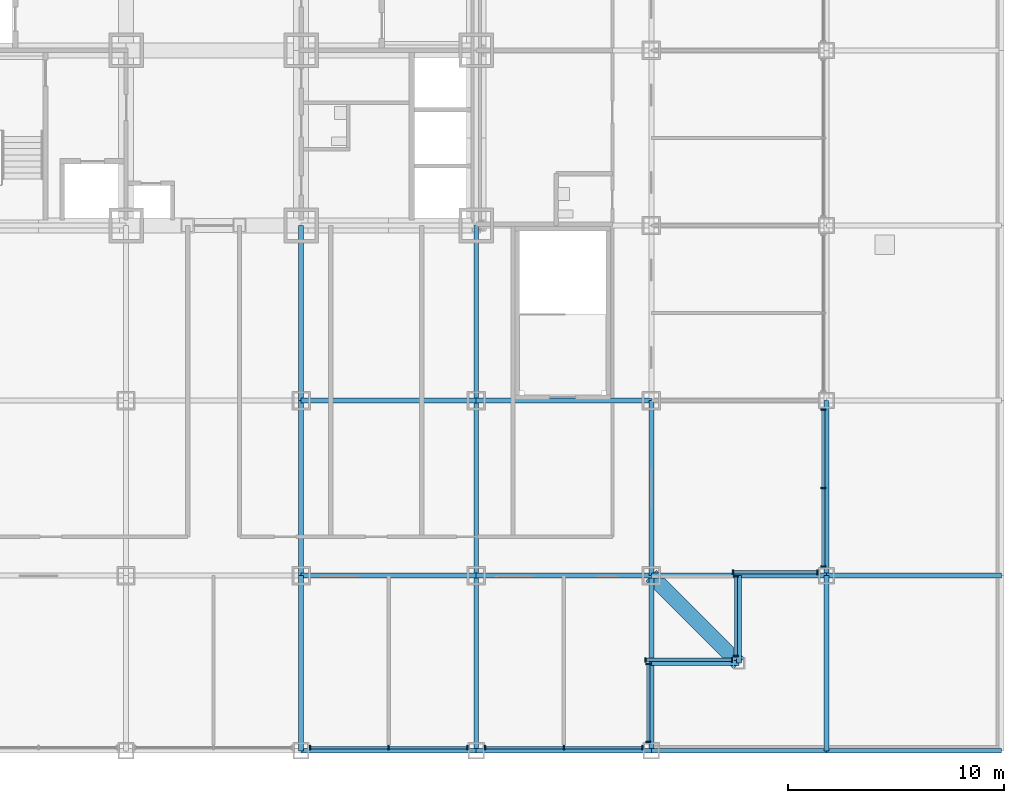
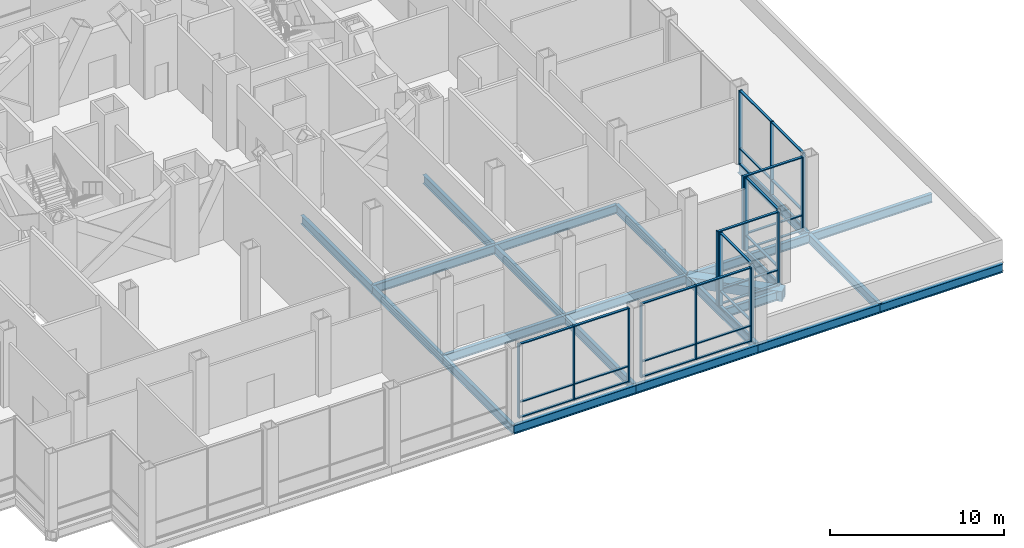
# One storey, part 5 of 18: 47 members, 23 beams, 7 elements without a shape of their own.
"""IFC4 building model written with IfcOpenShell, lengths in metres."""

from ifc_helpers import new_model, si_unit, direction, frame, origin, origin_2d, place, context, subcontext, project, spatial, rectangle, hollow_rectangle, i_section, extrude, material, material_profile, profile_set, type_object, element, aggregate, save


model = new_model("IFC4")

# Units and contexts
model_context = context("Model", 3, precision=1e-05, world=origin(), true_north=direction((0.0, 1.0)))
body_context = subcontext(model_context, "Body", "Model", "MODEL_VIEW")
ifc_project = project(units=[si_unit("LENGTHUNIT", "METRE"), si_unit("AREAUNIT", "SQUARE_METRE"), si_unit("VOLUMEUNIT", "CUBIC_METRE"), si_unit("PLANEANGLEUNIT", "RADIAN"), si_unit("MASSUNIT", "GRAM", prefix="KILO")], contexts=[model_context])

# Site, building, storey
site_placement = place(None, origin())
site = spatial("IfcSite", under=ifc_project, at=site_placement, CompositionType="ELEMENT")
building_placement = place(site_placement, origin())
building = spatial("IfcBuilding", under=site, at=building_placement, Name="Kopane Lantern Tower", CompositionType="ELEMENT")
storey_placement = place(building_placement, frame((0.0, 0.0, 22.199951171875)))
storey = spatial("IfcBuildingStorey", under=building, at=storey_placement, Name="L04", CompositionType="ELEMENT", Elevation=22.199951171875)

# Beams
ifc_material_1 = material(Name="Steel S355JR", Category="steel")
ifc_material_profile_1 = material_profile(ifc_material_1, hollow_rectangle(XDim=0.699951171875, YDim=0.699951171875, WallThickness=0.06005859375, at=origin_2d()), Name="BOX 700x700x60")
ifc_profile_set_1 = profile_set([ifc_material_profile_1], Name="Steel S355JR")
beam_type_1 = type_object("IfcBeamType", Name="CORNER TIE BEAM BOX 700x700x60", PredefinedType="BEAM", material=ifc_profile_set_1)
beam_1_placement = place(storey_placement, frame((52.64990234375, 4.050048828125, -0.599853515625), z_axis=(-0.707085467703, 0.707128094028, 0.0), x_axis=(-0.707128094028, -0.707085467703, 0.0)))
element("IfcBeam", 1, at=beam_1_placement, inside=storey, type_object=beam_type_1, Name="Corner Tie Beam L04", PredefinedType="BEAM", context=body_context, shape_type="SweptSolid", body=[
    extrude(hollow_rectangle(XDim=0.699951171875, YDim=0.699951171875, WallThickness=0.06005859375, at=origin_2d()), origin(), (0.0, 0.0, 1.0), 5.7275390625),
])
ifc_material_2 = material(Name="Steel S355JR", Category="steel")
ifc_material_profile_2 = material_profile(ifc_material_2, i_section(OverallWidth=0.22900390625, OverallDepth=0.6123046875, WebThickness=0.011962890625, FlangeThickness=0.01953125, FilletRadius=0.0126953125, at=origin_2d()), Name="UB 610x229x125")
ifc_profile_set_2 = profile_set([ifc_material_profile_2], Name="Steel S355JR")
beam_type_2 = type_object("IfcBeamType", Name="EDGE BEAM UB 610x229x125", PredefinedType="BEAM", material=ifc_profile_set_2)
beam_2_placement = place(storey_placement, frame((52.64990234375, 4.050048828125, -0.55615234375), z_axis=(-1.0, 0.0, 0.0), x_axis=(0.0, -1.0, 0.0)))
element("IfcBeam", 2, at=beam_2_placement, inside=storey, type_object=beam_type_2, Name="Edge Beam L04", PredefinedType="BEAM", context=body_context, shape_type="SweptSolid", body=[
    extrude(i_section(OverallWidth=0.22900390625, OverallDepth=0.6123046875, WebThickness=0.011962890625, FlangeThickness=0.01953125, FilletRadius=0.0126953125, at=origin_2d()), origin(), (0.0, 0.0, 1.0), 4.0498046875),
])
beam_3_placement = place(storey_placement, frame((52.64990234375, 4.050048828125, -0.55615234375), z_axis=(0.0, 1.0, 0.0), x_axis=(-1.0, 0.0, 0.0)))
element("IfcBeam", 3, at=beam_3_placement, inside=storey, type_object=beam_type_2, Name="Edge Beam L04", PredefinedType="BEAM", context=body_context, shape_type="SweptSolid", body=[
    extrude(i_section(OverallWidth=0.22900390625, OverallDepth=0.6123046875, WebThickness=0.011962890625, FlangeThickness=0.01953125, FilletRadius=0.0126953125, at=origin_2d()), origin(), (0.0, 0.0, 1.0), 4.050048828125),
])
ifc_material_3 = material(Name="Steel S355JR", Category="steel")
ifc_material_profile_3 = material_profile(ifc_material_3, i_section(OverallWidth=0.22900390625, OverallDepth=0.6123046875, WebThickness=0.011962890625, FlangeThickness=0.01953125, FilletRadius=0.0126953125, at=origin_2d()), Name="UB 610x229x125")
ifc_profile_set_3 = profile_set([ifc_material_profile_3], Name="Steel S355JR")
beam_type_3 = type_object("IfcBeamType", Name="GIRDER UB 610x229x125", PredefinedType="BEAM", material=ifc_profile_set_3)
for number, where, z_axis, x_axis, name in (
    (4, (32.39990234375, 0.0, -0.55615234375), (0.0, 1.0, 0.0), (-1.0, 0.0, 0.0), "Girder L04"),
    (5, (32.39990234375, 0.0, -0.55615234375), (1.0, 0.0, 0.0), (0.0, 1.0, 0.0), "Girder L04"),
):
    element("IfcBeam", number, at=place(storey_placement, frame(where, z_axis=z_axis, x_axis=x_axis)), inside=storey, type_object=beam_type_3, Name=name, PredefinedType="BEAM", context=body_context, shape_type="SweptSolid", body=[
        extrude(i_section(OverallWidth=0.22900390625, OverallDepth=0.6123046875, WebThickness=0.011962890625, FlangeThickness=0.01953125, FilletRadius=0.0126953125, at=origin_2d()), origin(), (0.0, 0.0, 1.0), 8.10009765625),
    ])
beam_4_placement = place(storey_placement, frame((32.39990234375, 8.10009765625, -0.55615234375), z_axis=(0.0, 1.0, 0.0), x_axis=(-1.0, 0.0, 0.0)))
element("IfcBeam", 6, at=beam_4_placement, inside=storey, type_object=beam_type_3, Name="Girder L04", PredefinedType="BEAM", context=body_context, shape_type="SweptSolid", body=[
    extrude(i_section(OverallWidth=0.22900390625, OverallDepth=0.6123046875, WebThickness=0.011962890625, FlangeThickness=0.01953125, FilletRadius=0.0126953125, at=origin_2d()), origin(), (0.0, 0.0, 1.0), 8.099853515625),
])
for number, where, z_axis, x_axis, name in (
    (7, (32.39990234375, 8.10009765625, -0.55615234375), (1.0, 0.0, 0.0), (0.0, 1.0, 0.0), "Girder L04"),
    (8, (32.39990234375, 16.199951171875, -0.55615234375), (0.0, 1.0, 0.0), (-1.0, 0.0, 0.0), "Girder L04"),
    (9, (32.39990234375, 16.199951171875, -0.55615234375), (1.0, 0.0, 0.0), (0.0, 1.0, 0.0), "Girder L04"),
    (10, (40.5, 0.0, -0.55615234375), (0.0, 1.0, 0.0), (-1.0, 0.0, 0.0), "Girder L04"),
    (11, (40.5, 0.0, -0.55615234375), (1.0, 0.0, 0.0), (0.0, 1.0, 0.0), "Girder L04"),
):
    element("IfcBeam", number, at=place(storey_placement, frame(where, z_axis=z_axis, x_axis=x_axis)), inside=storey, type_object=beam_type_3, Name=name, PredefinedType="BEAM", context=body_context, shape_type="SweptSolid", body=[
        extrude(i_section(OverallWidth=0.22900390625, OverallDepth=0.6123046875, WebThickness=0.011962890625, FlangeThickness=0.01953125, FilletRadius=0.0126953125, at=origin_2d()), origin(), (0.0, 0.0, 1.0), 8.10009765625),
    ])
beam_5_placement = place(storey_placement, frame((40.5, 8.10009765625, -0.55615234375), z_axis=(0.0, 1.0, 0.0), x_axis=(-1.0, 0.0, 0.0)))
element("IfcBeam", 12, at=beam_5_placement, inside=storey, type_object=beam_type_3, Name="Girder L04", PredefinedType="BEAM", context=body_context, shape_type="SweptSolid", body=[
    extrude(i_section(OverallWidth=0.22900390625, OverallDepth=0.6123046875, WebThickness=0.011962890625, FlangeThickness=0.01953125, FilletRadius=0.0126953125, at=origin_2d()), origin(), (0.0, 0.0, 1.0), 8.099853515625),
])
for number, where, z_axis, x_axis, name in (
    (13, (40.5, 8.10009765625, -0.55615234375), (1.0, 0.0, 0.0), (0.0, 1.0, 0.0), "Girder L04"),
    (14, (40.5, 16.199951171875, -0.55615234375), (0.0, 1.0, 0.0), (-1.0, 0.0, 0.0), "Girder L04"),
    (15, (40.5, 16.199951171875, -0.55615234375), (1.0, 0.0, 0.0), (0.0, 1.0, 0.0), "Girder L04"),
    (16, (48.60009765625, 0.0, -0.55615234375), (0.0, 1.0, 0.0), (-1.0, 0.0, 0.0), "Girder L04"),
):
    element("IfcBeam", number, at=place(storey_placement, frame(where, z_axis=z_axis, x_axis=x_axis)), inside=storey, type_object=beam_type_3, Name=name, PredefinedType="BEAM", context=body_context, shape_type="SweptSolid", body=[
        extrude(i_section(OverallWidth=0.22900390625, OverallDepth=0.6123046875, WebThickness=0.011962890625, FlangeThickness=0.01953125, FilletRadius=0.0126953125, at=origin_2d()), origin(), (0.0, 0.0, 1.0), 8.10009765625),
    ])
for number, where, z_axis, x_axis, name in (
    (17, (48.60009765625, 0.0, -0.55615234375), (1.0, 0.0, 0.0), (0.0, 1.0, 0.0), "Girder L04"),
    (18, (48.60009765625, 8.10009765625, -0.55615234375), (0.0, 1.0, 0.0), (-1.0, 0.0, 0.0), "Girder L04"),
    (19, (48.60009765625, 8.10009765625, -0.55615234375), (1.0, 0.0, 0.0), (0.0, 1.0, 0.0), "Girder L04"),
):
    element("IfcBeam", number, at=place(storey_placement, frame(where, z_axis=z_axis, x_axis=x_axis)), inside=storey, type_object=beam_type_3, Name=name, PredefinedType="BEAM", context=body_context, shape_type="SweptSolid", body=[
        extrude(i_section(OverallWidth=0.22900390625, OverallDepth=0.6123046875, WebThickness=0.011962890625, FlangeThickness=0.01953125, FilletRadius=0.0126953125, at=origin_2d()), origin(), (0.0, 0.0, 1.0), 8.099853515625),
    ])
for number, where, z_axis, x_axis, name in (
    (20, (56.699951171875, 0.0, -0.55615234375), (0.0, 1.0, 0.0), (-1.0, 0.0, 0.0), "Girder L04"),
    (21, (56.699951171875, 0.0, -0.55615234375), (1.0, 0.0, 0.0), (0.0, 1.0, 0.0), "Girder L04"),
):
    element("IfcBeam", number, at=place(storey_placement, frame(where, z_axis=z_axis, x_axis=x_axis)), inside=storey, type_object=beam_type_3, Name=name, PredefinedType="BEAM", context=body_context, shape_type="SweptSolid", body=[
        extrude(i_section(OverallWidth=0.22900390625, OverallDepth=0.6123046875, WebThickness=0.011962890625, FlangeThickness=0.01953125, FilletRadius=0.0126953125, at=origin_2d()), origin(), (0.0, 0.0, 1.0), 8.10009765625),
    ])
beam_6_placement = place(storey_placement, frame((56.699951171875, 8.10009765625, -0.55615234375), z_axis=(0.0, 1.0, 0.0), x_axis=(-1.0, 0.0, 0.0)))
element("IfcBeam", 22, at=beam_6_placement, inside=storey, type_object=beam_type_3, Name="Girder L04", PredefinedType="BEAM", context=body_context, shape_type="SweptSolid", body=[
    extrude(i_section(OverallWidth=0.22900390625, OverallDepth=0.6123046875, WebThickness=0.011962890625, FlangeThickness=0.01953125, FilletRadius=0.0126953125, at=origin_2d()), origin(), (0.0, 0.0, 1.0), 8.099853515625),
])
beam_7_placement = place(storey_placement, frame((56.699951171875, 8.10009765625, -0.55615234375), z_axis=(1.0, 0.0, 0.0), x_axis=(0.0, 1.0, 0.0)))
element("IfcBeam", 23, at=beam_7_placement, inside=storey, type_object=beam_type_3, Name="Girder L04", PredefinedType="BEAM", context=body_context, shape_type="SweptSolid", body=[
    extrude(i_section(OverallWidth=0.22900390625, OverallDepth=0.6123046875, WebThickness=0.011962890625, FlangeThickness=0.01953125, FilletRadius=0.0126953125, at=origin_2d()), origin(), (0.0, 0.0, 1.0), 8.10009765625),
])

# Curtain wall, members
ifc_material_4 = material(Name="Aluminium and clear glass", Category="aluminium")
curtain_wall_type = type_object("IfcCurtainWallType", Name="CURTAIN WALL CW3 SKY LOBBY", PredefinedType="USERDEFINED", material=ifc_material_4)
curtain_wall_1_placement = place(storey_placement, origin())
curtain_wall_1 = element("IfcCurtainWall", 24, at=curtain_wall_1_placement, inside=storey, type_object=curtain_wall_type, Name="Curtain wall CW3 S L04", ObjectType="CURTAIN WALL", PredefinedType="USERDEFINED")
ifc_material_5 = material(Name="Aluminium", Category="aluminium")
ifc_material_profile_4 = material_profile(ifc_material_5, rectangle(XDim=0.070068359375, YDim=0.22509765625, at=origin_2d()), Name="AL 70x225")
ifc_profile_set_4 = profile_set([ifc_material_profile_4], Name="Aluminium")
member_type_1 = type_object("IfcMemberType", Name="MULLION CW3-M 70x225", PredefinedType="MULLION", material=ifc_profile_set_4)
member_1_placement = place(storey_placement, frame((32.81494140625, 0.14990234375, 0.0), z_axis=(0.0, 0.0, 1.0), x_axis=(1.0, 0.0, 0.0)))
member_1 = element("IfcMember", 25, at=member_1_placement, type_object=member_type_1, Name="CW3 mullion 1", PredefinedType="MULLION", context=body_context, shape_type="SweptSolid", body=[
    extrude(rectangle(XDim=0.070068359375, YDim=0.22509765625, at=origin_2d()), origin(), (0.0, 0.0, 1.0), 5.18994140625),
])
member_2_placement = place(storey_placement, frame((36.449951171875, 0.14990234375, 0.0), z_axis=(0.0, 0.0, 1.0), x_axis=(1.0, 0.0, 0.0)))
member_2 = element("IfcMember", 26, at=member_2_placement, type_object=member_type_1, Name="CW3 mullion 2", PredefinedType="MULLION", context=body_context, shape_type="SweptSolid", body=[
    extrude(rectangle(XDim=0.070068359375, YDim=0.22509765625, at=origin_2d()), origin(), (0.0, 0.0, 1.0), 5.18994140625),
])
member_3_placement = place(storey_placement, frame((40.0849609375, 0.14990234375, 0.0), z_axis=(0.0, 0.0, 1.0), x_axis=(1.0, 0.0, 0.0)))
member_3 = element("IfcMember", 27, at=member_3_placement, type_object=member_type_1, Name="CW3 mullion 3", PredefinedType="MULLION", context=body_context, shape_type="SweptSolid", body=[
    extrude(rectangle(XDim=0.070068359375, YDim=0.22509765625, at=origin_2d()), origin(), (0.0, 0.0, 1.0), 5.18994140625),
])

curtain_wall_2_placement = place(storey_placement, origin())
curtain_wall_2 = element("IfcCurtainWall", 28, at=curtain_wall_2_placement, inside=storey, type_object=curtain_wall_type, Name="Curtain wall CW3 S L04", ObjectType="CURTAIN WALL", PredefinedType="USERDEFINED")
member_4_placement = place(storey_placement, frame((40.9150390625, 0.14990234375, 0.0), z_axis=(0.0, 0.0, 1.0), x_axis=(1.0, 0.0, 0.0)))
member_4 = element("IfcMember", 29, at=member_4_placement, type_object=member_type_1, Name="CW3 mullion 1", PredefinedType="MULLION", context=body_context, shape_type="SweptSolid", body=[
    extrude(rectangle(XDim=0.070068359375, YDim=0.22509765625, at=origin_2d()), origin(), (0.0, 0.0, 1.0), 5.18994140625),
])
member_5_placement = place(storey_placement, frame((44.550048828125, 0.14990234375, 0.0), z_axis=(0.0, 0.0, 1.0), x_axis=(1.0, 0.0, 0.0)))
member_5 = element("IfcMember", 30, at=member_5_placement, type_object=member_type_1, Name="CW3 mullion 2", PredefinedType="MULLION", context=body_context, shape_type="SweptSolid", body=[
    extrude(rectangle(XDim=0.070068359375, YDim=0.22509765625, at=origin_2d()), origin(), (0.0, 0.0, 1.0), 5.18994140625),
])
member_6_placement = place(storey_placement, frame((48.18505859375, 0.14990234375, 0.0), z_axis=(0.0, 0.0, 1.0), x_axis=(1.0, 0.0, 0.0)))
member_6 = element("IfcMember", 31, at=member_6_placement, type_object=member_type_1, Name="CW3 mullion 3", PredefinedType="MULLION", context=body_context, shape_type="SweptSolid", body=[
    extrude(rectangle(XDim=0.070068359375, YDim=0.22509765625, at=origin_2d()), origin(), (0.0, 0.0, 1.0), 5.18994140625),
])

curtain_wall_3_placement = place(storey_placement, origin())
curtain_wall_3 = element("IfcCurtainWall", 32, at=curtain_wall_3_placement, inside=storey, type_object=curtain_wall_type, Name="Curtain wall CW3 E L04", ObjectType="CURTAIN WALL", PredefinedType="USERDEFINED")
member_7_placement = place(storey_placement, frame((48.449951171875, 0.4150390625, 0.0), z_axis=(0.0, 0.0, 1.0), x_axis=(0.0, 1.0, 0.0)))
member_7 = element("IfcMember", 33, at=member_7_placement, type_object=member_type_1, Name="CW3 mullion 1", PredefinedType="MULLION", context=body_context, shape_type="SweptSolid", body=[
    extrude(rectangle(XDim=0.070068359375, YDim=0.22509765625, at=origin_2d()), origin(), (0.0, 0.0, 1.0), 5.18994140625),
])
member_8_placement = place(storey_placement, frame((48.449951171875, 4.014892578125, 0.0), z_axis=(0.0, 0.0, 1.0), x_axis=(0.0, 1.0, 0.0)))
member_8 = element("IfcMember", 34, at=member_8_placement, type_object=member_type_1, Name="CW3 mullion 2", PredefinedType="MULLION", context=body_context, shape_type="SweptSolid", body=[
    extrude(rectangle(XDim=0.070068359375, YDim=0.22509765625, at=origin_2d()), origin(), (0.0, 0.0, 1.0), 5.18994140625),
])

curtain_wall_4_placement = place(storey_placement, origin())
curtain_wall_4 = element("IfcCurtainWall", 35, at=curtain_wall_4_placement, inside=storey, type_object=curtain_wall_type, Name="Curtain wall CW3 S L04", ObjectType="CURTAIN WALL", PredefinedType="USERDEFINED")
member_9_placement = place(storey_placement, frame((48.3349609375, 4.199951171875, 0.0), z_axis=(0.0, 0.0, 1.0), x_axis=(1.0, 0.0, 0.0)))
member_9 = element("IfcMember", 36, at=member_9_placement, type_object=member_type_1, Name="CW3 mullion 1", PredefinedType="MULLION", context=body_context, shape_type="SweptSolid", body=[
    extrude(rectangle(XDim=0.070068359375, YDim=0.22509765625, at=origin_2d()), origin(), (0.0, 0.0, 1.0), 5.18994140625),
])
member_10_placement = place(storey_placement, frame((52.3349609375, 4.199951171875, 0.0), z_axis=(0.0, 0.0, 1.0), x_axis=(1.0, 0.0, 0.0)))
member_10 = element("IfcMember", 37, at=member_10_placement, type_object=member_type_1, Name="CW3 mullion 2", PredefinedType="MULLION", context=body_context, shape_type="SweptSolid", body=[
    extrude(rectangle(XDim=0.070068359375, YDim=0.22509765625, at=origin_2d()), origin(), (0.0, 0.0, 1.0), 5.18994140625),
])

curtain_wall_5_placement = place(storey_placement, origin())
curtain_wall_5 = element("IfcCurtainWall", 38, at=curtain_wall_5_placement, inside=storey, type_object=curtain_wall_type, Name="Curtain wall CW3 E L04", ObjectType="CURTAIN WALL", PredefinedType="USERDEFINED")
member_11_placement = place(storey_placement, frame((52.5, 4.385009765625, 0.0), z_axis=(0.0, 0.0, 1.0), x_axis=(0.0, 1.0, 0.0)))
member_11 = element("IfcMember", 39, at=member_11_placement, type_object=member_type_1, Name="CW3 mullion 1", PredefinedType="MULLION", context=body_context, shape_type="SweptSolid", body=[
    extrude(rectangle(XDim=0.070068359375, YDim=0.22509765625, at=origin_2d()), origin(), (0.0, 0.0, 1.0), 5.18994140625),
])
member_12_placement = place(storey_placement, frame((52.5, 8.06494140625, 0.0), z_axis=(0.0, 0.0, 1.0), x_axis=(0.0, 1.0, 0.0)))
member_12 = element("IfcMember", 40, at=member_12_placement, type_object=member_type_1, Name="CW3 mullion 2", PredefinedType="MULLION", context=body_context, shape_type="SweptSolid", body=[
    extrude(rectangle(XDim=0.070068359375, YDim=0.22509765625, at=origin_2d()), origin(), (0.0, 0.0, 1.0), 5.18994140625),
])

curtain_wall_6_placement = place(storey_placement, origin())
curtain_wall_6 = element("IfcCurtainWall", 41, at=curtain_wall_6_placement, inside=storey, type_object=curtain_wall_type, Name="Curtain wall CW3 S L04", ObjectType="CURTAIN WALL", PredefinedType="USERDEFINED")
member_13_placement = place(storey_placement, frame((52.385009765625, 8.25, 0.0), z_axis=(0.0, 0.0, 1.0), x_axis=(1.0, 0.0, 0.0)))
member_13 = element("IfcMember", 42, at=member_13_placement, type_object=member_type_1, Name="CW3 mullion 1", PredefinedType="MULLION", context=body_context, shape_type="SweptSolid", body=[
    extrude(rectangle(XDim=0.070068359375, YDim=0.22509765625, at=origin_2d()), origin(), (0.0, 0.0, 1.0), 5.18994140625),
])
member_14_placement = place(storey_placement, frame((56.284912109375, 8.25, 0.0), z_axis=(0.0, 0.0, 1.0), x_axis=(1.0, 0.0, 0.0)))
member_14 = element("IfcMember", 43, at=member_14_placement, type_object=member_type_1, Name="CW3 mullion 2", PredefinedType="MULLION", context=body_context, shape_type="SweptSolid", body=[
    extrude(rectangle(XDim=0.070068359375, YDim=0.22509765625, at=origin_2d()), origin(), (0.0, 0.0, 1.0), 5.18994140625),
])

curtain_wall_7_placement = place(storey_placement, origin())
curtain_wall_7 = element("IfcCurtainWall", 44, at=curtain_wall_7_placement, inside=storey, type_object=curtain_wall_type, Name="Curtain wall CW3 E L04", ObjectType="CURTAIN WALL", PredefinedType="USERDEFINED")
member_15_placement = place(storey_placement, frame((56.550048828125, 8.514892578125, 0.0), z_axis=(0.0, 0.0, 1.0), x_axis=(0.0, 1.0, 0.0)))
member_15 = element("IfcMember", 45, at=member_15_placement, type_object=member_type_1, Name="CW3 mullion 1", PredefinedType="MULLION", context=body_context, shape_type="SweptSolid", body=[
    extrude(rectangle(XDim=0.070068359375, YDim=0.22509765625, at=origin_2d()), origin(), (0.0, 0.0, 1.0), 5.18994140625),
])
member_16_placement = place(storey_placement, frame((56.550048828125, 12.14990234375, 0.0), z_axis=(0.0, 0.0, 1.0), x_axis=(0.0, 1.0, 0.0)))
member_16 = element("IfcMember", 46, at=member_16_placement, type_object=member_type_1, Name="CW3 mullion 2", PredefinedType="MULLION", context=body_context, shape_type="SweptSolid", body=[
    extrude(rectangle(XDim=0.070068359375, YDim=0.22509765625, at=origin_2d()), origin(), (0.0, 0.0, 1.0), 5.18994140625),
])
member_17_placement = place(storey_placement, frame((56.550048828125, 15.784912109375, 0.0), z_axis=(0.0, 0.0, 1.0), x_axis=(0.0, 1.0, 0.0)))
member_17 = element("IfcMember", 47, at=member_17_placement, type_object=member_type_1, Name="CW3 mullion 3", PredefinedType="MULLION", context=body_context, shape_type="SweptSolid", body=[
    extrude(rectangle(XDim=0.070068359375, YDim=0.22509765625, at=origin_2d()), origin(), (0.0, 0.0, 1.0), 5.18994140625),
])

# Member
ifc_material_6 = material(Name="Aluminium", Category="aluminium")
ifc_material_profile_5 = material_profile(ifc_material_6, rectangle(XDim=0.159912109375, YDim=0.070068359375, at=origin_2d()), Name="AL 160x70")
ifc_profile_set_5 = profile_set([ifc_material_profile_5], Name="Aluminium")
member_type_2 = type_object("IfcMemberType", Name="TRANSOM CW3-T 70x160", PredefinedType="USERDEFINED", material=ifc_profile_set_5)
member_18_placement = place(storey_placement, frame((32.85009765625, 0.14990234375, 0.03515625), z_axis=(1.0, 0.0, 0.0), x_axis=(0.0, 1.0, 0.0)))
member_18 = element("IfcMember", 48, at=member_18_placement, type_object=member_type_2, Name="CW3 transom 1.1", ObjectType="TRANSOM", PredefinedType="USERDEFINED", context=body_context, shape_type="SweptSolid", body=[
    extrude(rectangle(XDim=0.159912109375, YDim=0.070068359375, at=origin_2d()), origin(), (0.0, 0.0, 1.0), 3.56494140625),
])

member_19_placement = place(storey_placement, frame((32.85009765625, 0.14990234375, 1.10009765625), z_axis=(1.0, 0.0, 0.0), x_axis=(0.0, 1.0, 0.0)))
member_19 = element("IfcMember", 49, at=member_19_placement, type_object=member_type_2, Name="CW3 transom 1.2", ObjectType="TRANSOM", PredefinedType="USERDEFINED", context=body_context, shape_type="SweptSolid", body=[
    extrude(rectangle(XDim=0.159912109375, YDim=0.070068359375, at=origin_2d()), origin(), (0.0, 0.0, 1.0), 3.56494140625),
])

member_20_placement = place(storey_placement, frame((32.85009765625, 0.14990234375, 5.155029296875), z_axis=(1.0, 0.0, 0.0), x_axis=(0.0, 1.0, 0.0)))
member_20 = element("IfcMember", 50, at=member_20_placement, type_object=member_type_2, Name="CW3 transom 1.3", ObjectType="TRANSOM", PredefinedType="USERDEFINED", context=body_context, shape_type="SweptSolid", body=[
    extrude(rectangle(XDim=0.159912109375, YDim=0.070068359375, at=origin_2d()), origin(), (0.0, 0.0, 1.0), 3.56494140625),
])

member_21_placement = place(storey_placement, frame((36.485107421875, 0.14990234375, 0.03515625), z_axis=(1.0, 0.0, 0.0), x_axis=(0.0, 1.0, 0.0)))
member_21 = element("IfcMember", 51, at=member_21_placement, type_object=member_type_2, Name="CW3 transom 2.1", ObjectType="TRANSOM", PredefinedType="USERDEFINED", context=body_context, shape_type="SweptSolid", body=[
    extrude(rectangle(XDim=0.159912109375, YDim=0.070068359375, at=origin_2d()), origin(), (0.0, 0.0, 1.0), 3.56494140625),
])

member_22_placement = place(storey_placement, frame((36.485107421875, 0.14990234375, 1.10009765625), z_axis=(1.0, 0.0, 0.0), x_axis=(0.0, 1.0, 0.0)))
member_22 = element("IfcMember", 52, at=member_22_placement, type_object=member_type_2, Name="CW3 transom 2.2", ObjectType="TRANSOM", PredefinedType="USERDEFINED", context=body_context, shape_type="SweptSolid", body=[
    extrude(rectangle(XDim=0.159912109375, YDim=0.070068359375, at=origin_2d()), origin(), (0.0, 0.0, 1.0), 3.56494140625),
])

member_23_placement = place(storey_placement, frame((36.485107421875, 0.14990234375, 5.155029296875), z_axis=(1.0, 0.0, 0.0), x_axis=(0.0, 1.0, 0.0)))
member_23 = element("IfcMember", 53, at=member_23_placement, type_object=member_type_2, Name="CW3 transom 2.3", ObjectType="TRANSOM", PredefinedType="USERDEFINED", context=body_context, shape_type="SweptSolid", body=[
    extrude(rectangle(XDim=0.159912109375, YDim=0.070068359375, at=origin_2d()), origin(), (0.0, 0.0, 1.0), 3.56494140625),
])

aggregate(curtain_wall_1, [member_1, member_2, member_3, member_18, member_19, member_20, member_21, member_22, member_23])

member_24_placement = place(storey_placement, frame((40.949951171875, 0.14990234375, 0.03515625), z_axis=(1.0, 0.0, 0.0), x_axis=(0.0, 1.0, 0.0)))
member_24 = element("IfcMember", 54, at=member_24_placement, type_object=member_type_2, Name="CW3 transom 1.1", ObjectType="TRANSOM", PredefinedType="USERDEFINED", context=body_context, shape_type="SweptSolid", body=[
    extrude(rectangle(XDim=0.159912109375, YDim=0.070068359375, at=origin_2d()), origin(), (0.0, 0.0, 1.0), 3.56494140625),
])

member_25_placement = place(storey_placement, frame((40.949951171875, 0.14990234375, 1.10009765625), z_axis=(1.0, 0.0, 0.0), x_axis=(0.0, 1.0, 0.0)))
member_25 = element("IfcMember", 55, at=member_25_placement, type_object=member_type_2, Name="CW3 transom 1.2", ObjectType="TRANSOM", PredefinedType="USERDEFINED", context=body_context, shape_type="SweptSolid", body=[
    extrude(rectangle(XDim=0.159912109375, YDim=0.070068359375, at=origin_2d()), origin(), (0.0, 0.0, 1.0), 3.56494140625),
])

member_26_placement = place(storey_placement, frame((40.949951171875, 0.14990234375, 5.155029296875), z_axis=(1.0, 0.0, 0.0), x_axis=(0.0, 1.0, 0.0)))
member_26 = element("IfcMember", 56, at=member_26_placement, type_object=member_type_2, Name="CW3 transom 1.3", ObjectType="TRANSOM", PredefinedType="USERDEFINED", context=body_context, shape_type="SweptSolid", body=[
    extrude(rectangle(XDim=0.159912109375, YDim=0.070068359375, at=origin_2d()), origin(), (0.0, 0.0, 1.0), 3.56494140625),
])

member_27_placement = place(storey_placement, frame((44.5849609375, 0.14990234375, 0.03515625), z_axis=(1.0, 0.0, 0.0), x_axis=(0.0, 1.0, 0.0)))
member_27 = element("IfcMember", 57, at=member_27_placement, type_object=member_type_2, Name="CW3 transom 2.1", ObjectType="TRANSOM", PredefinedType="USERDEFINED", context=body_context, shape_type="SweptSolid", body=[
    extrude(rectangle(XDim=0.159912109375, YDim=0.070068359375, at=origin_2d()), origin(), (0.0, 0.0, 1.0), 3.56494140625),
])

member_28_placement = place(storey_placement, frame((44.5849609375, 0.14990234375, 1.10009765625), z_axis=(1.0, 0.0, 0.0), x_axis=(0.0, 1.0, 0.0)))
member_28 = element("IfcMember", 58, at=member_28_placement, type_object=member_type_2, Name="CW3 transom 2.2", ObjectType="TRANSOM", PredefinedType="USERDEFINED", context=body_context, shape_type="SweptSolid", body=[
    extrude(rectangle(XDim=0.159912109375, YDim=0.070068359375, at=origin_2d()), origin(), (0.0, 0.0, 1.0), 3.56494140625),
])

member_29_placement = place(storey_placement, frame((44.5849609375, 0.14990234375, 5.155029296875), z_axis=(1.0, 0.0, 0.0), x_axis=(0.0, 1.0, 0.0)))
member_29 = element("IfcMember", 59, at=member_29_placement, type_object=member_type_2, Name="CW3 transom 2.3", ObjectType="TRANSOM", PredefinedType="USERDEFINED", context=body_context, shape_type="SweptSolid", body=[
    extrude(rectangle(XDim=0.159912109375, YDim=0.070068359375, at=origin_2d()), origin(), (0.0, 0.0, 1.0), 3.56494140625),
])

aggregate(curtain_wall_2, [member_4, member_5, member_6, member_24, member_25, member_26, member_27, member_28, member_29])

member_30_placement = place(storey_placement, frame((48.449951171875, 0.449951171875, 0.03515625), z_axis=(0.0, 1.0, 0.0), x_axis=(-1.0, 0.0, 0.0)))
member_30 = element("IfcMember", 60, at=member_30_placement, type_object=member_type_2, Name="CW3 transom 1.1", ObjectType="TRANSOM", PredefinedType="USERDEFINED", context=body_context, shape_type="SweptSolid", body=[
    extrude(rectangle(XDim=0.159912109375, YDim=0.070068359375, at=origin_2d()), origin(), (0.0, 0.0, 1.0), 3.530029296875),
])

member_31_placement = place(storey_placement, frame((48.449951171875, 0.449951171875, 1.10009765625), z_axis=(0.0, 1.0, 0.0), x_axis=(-1.0, 0.0, 0.0)))
member_31 = element("IfcMember", 61, at=member_31_placement, type_object=member_type_2, Name="CW3 transom 1.2", ObjectType="TRANSOM", PredefinedType="USERDEFINED", context=body_context, shape_type="SweptSolid", body=[
    extrude(rectangle(XDim=0.159912109375, YDim=0.070068359375, at=origin_2d()), origin(), (0.0, 0.0, 1.0), 3.530029296875),
])

member_32_placement = place(storey_placement, frame((48.449951171875, 0.449951171875, 5.155029296875), z_axis=(0.0, 1.0, 0.0), x_axis=(-1.0, 0.0, 0.0)))
member_32 = element("IfcMember", 62, at=member_32_placement, type_object=member_type_2, Name="CW3 transom 1.3", ObjectType="TRANSOM", PredefinedType="USERDEFINED", context=body_context, shape_type="SweptSolid", body=[
    extrude(rectangle(XDim=0.159912109375, YDim=0.070068359375, at=origin_2d()), origin(), (0.0, 0.0, 1.0), 3.530029296875),
])

aggregate(curtain_wall_3, [member_7, member_8, member_30, member_31, member_32])

member_33_placement = place(storey_placement, frame((48.3701171875, 4.199951171875, 0.03515625), z_axis=(1.0, 0.0, 0.0), x_axis=(0.0, 1.0, 0.0)))
member_33 = element("IfcMember", 63, at=member_33_placement, type_object=member_type_2, Name="CW3 transom 1.1", ObjectType="TRANSOM", PredefinedType="USERDEFINED", context=body_context, shape_type="SweptSolid", body=[
    extrude(rectangle(XDim=0.159912109375, YDim=0.070068359375, at=origin_2d()), origin(), (0.0, 0.0, 1.0), 3.929931640625),
])

member_34_placement = place(storey_placement, frame((48.3701171875, 4.199951171875, 1.10009765625), z_axis=(1.0, 0.0, 0.0), x_axis=(0.0, 1.0, 0.0)))
member_34 = element("IfcMember", 64, at=member_34_placement, type_object=member_type_2, Name="CW3 transom 1.2", ObjectType="TRANSOM", PredefinedType="USERDEFINED", context=body_context, shape_type="SweptSolid", body=[
    extrude(rectangle(XDim=0.159912109375, YDim=0.070068359375, at=origin_2d()), origin(), (0.0, 0.0, 1.0), 3.929931640625),
])

member_35_placement = place(storey_placement, frame((48.3701171875, 4.199951171875, 5.155029296875), z_axis=(1.0, 0.0, 0.0), x_axis=(0.0, 1.0, 0.0)))
member_35 = element("IfcMember", 65, at=member_35_placement, type_object=member_type_2, Name="CW3 transom 1.3", ObjectType="TRANSOM", PredefinedType="USERDEFINED", context=body_context, shape_type="SweptSolid", body=[
    extrude(rectangle(XDim=0.159912109375, YDim=0.070068359375, at=origin_2d()), origin(), (0.0, 0.0, 1.0), 3.929931640625),
])

aggregate(curtain_wall_4, [member_9, member_10, member_33, member_34, member_35])

member_36_placement = place(storey_placement, frame((52.5, 4.419921875, 0.03515625), z_axis=(0.0, 1.0, 0.0), x_axis=(-1.0, 0.0, 0.0)))
member_36 = element("IfcMember", 66, at=member_36_placement, type_object=member_type_2, Name="CW3 transom 1.1", ObjectType="TRANSOM", PredefinedType="USERDEFINED", context=body_context, shape_type="SweptSolid", body=[
    extrude(rectangle(XDim=0.159912109375, YDim=0.070068359375, at=origin_2d()), origin(), (0.0, 0.0, 1.0), 3.610107421875),
])

member_37_placement = place(storey_placement, frame((52.5, 4.419921875, 1.10009765625), z_axis=(0.0, 1.0, 0.0), x_axis=(-1.0, 0.0, 0.0)))
member_37 = element("IfcMember", 67, at=member_37_placement, type_object=member_type_2, Name="CW3 transom 1.2", ObjectType="TRANSOM", PredefinedType="USERDEFINED", context=body_context, shape_type="SweptSolid", body=[
    extrude(rectangle(XDim=0.159912109375, YDim=0.070068359375, at=origin_2d()), origin(), (0.0, 0.0, 1.0), 3.610107421875),
])

member_38_placement = place(storey_placement, frame((52.5, 4.419921875, 5.155029296875), z_axis=(0.0, 1.0, 0.0), x_axis=(-1.0, 0.0, 0.0)))
member_38 = element("IfcMember", 68, at=member_38_placement, type_object=member_type_2, Name="CW3 transom 1.3", ObjectType="TRANSOM", PredefinedType="USERDEFINED", context=body_context, shape_type="SweptSolid", body=[
    extrude(rectangle(XDim=0.159912109375, YDim=0.070068359375, at=origin_2d()), origin(), (0.0, 0.0, 1.0), 3.610107421875),
])

aggregate(curtain_wall_5, [member_11, member_12, member_36, member_37, member_38])

member_39_placement = place(storey_placement, frame((52.419921875, 8.25, 0.03515625), z_axis=(1.0, 0.0, 0.0), x_axis=(0.0, 1.0, 0.0)))
member_39 = element("IfcMember", 69, at=member_39_placement, type_object=member_type_2, Name="CW3 transom 1.1", ObjectType="TRANSOM", PredefinedType="USERDEFINED", context=body_context, shape_type="SweptSolid", body=[
    extrude(rectangle(XDim=0.159912109375, YDim=0.070068359375, at=origin_2d()), origin(), (0.0, 0.0, 1.0), 3.830078125),
])

member_40_placement = place(storey_placement, frame((52.419921875, 8.25, 1.10009765625), z_axis=(1.0, 0.0, 0.0), x_axis=(0.0, 1.0, 0.0)))
member_40 = element("IfcMember", 70, at=member_40_placement, type_object=member_type_2, Name="CW3 transom 1.2", ObjectType="TRANSOM", PredefinedType="USERDEFINED", context=body_context, shape_type="SweptSolid", body=[
    extrude(rectangle(XDim=0.159912109375, YDim=0.070068359375, at=origin_2d()), origin(), (0.0, 0.0, 1.0), 3.830078125),
])

member_41_placement = place(storey_placement, frame((52.419921875, 8.25, 5.155029296875), z_axis=(1.0, 0.0, 0.0), x_axis=(0.0, 1.0, 0.0)))
member_41 = element("IfcMember", 71, at=member_41_placement, type_object=member_type_2, Name="CW3 transom 1.3", ObjectType="TRANSOM", PredefinedType="USERDEFINED", context=body_context, shape_type="SweptSolid", body=[
    extrude(rectangle(XDim=0.159912109375, YDim=0.070068359375, at=origin_2d()), origin(), (0.0, 0.0, 1.0), 3.830078125),
])

aggregate(curtain_wall_6, [member_13, member_14, member_39, member_40, member_41])

member_42_placement = place(storey_placement, frame((56.550048828125, 8.550048828125, 0.03515625), z_axis=(0.0, 1.0, 0.0), x_axis=(-1.0, 0.0, 0.0)))
member_42 = element("IfcMember", 72, at=member_42_placement, type_object=member_type_2, Name="CW3 transom 1.1", ObjectType="TRANSOM", PredefinedType="USERDEFINED", context=body_context, shape_type="SweptSolid", body=[
    extrude(rectangle(XDim=0.159912109375, YDim=0.070068359375, at=origin_2d()), origin(), (0.0, 0.0, 1.0), 3.56494140625),
])

member_43_placement = place(storey_placement, frame((56.550048828125, 8.550048828125, 1.10009765625), z_axis=(0.0, 1.0, 0.0), x_axis=(-1.0, 0.0, 0.0)))
member_43 = element("IfcMember", 73, at=member_43_placement, type_object=member_type_2, Name="CW3 transom 1.2", ObjectType="TRANSOM", PredefinedType="USERDEFINED", context=body_context, shape_type="SweptSolid", body=[
    extrude(rectangle(XDim=0.159912109375, YDim=0.070068359375, at=origin_2d()), origin(), (0.0, 0.0, 1.0), 3.56494140625),
])

member_44_placement = place(storey_placement, frame((56.550048828125, 8.550048828125, 5.155029296875), z_axis=(0.0, 1.0, 0.0), x_axis=(-1.0, 0.0, 0.0)))
member_44 = element("IfcMember", 74, at=member_44_placement, type_object=member_type_2, Name="CW3 transom 1.3", ObjectType="TRANSOM", PredefinedType="USERDEFINED", context=body_context, shape_type="SweptSolid", body=[
    extrude(rectangle(XDim=0.159912109375, YDim=0.070068359375, at=origin_2d()), origin(), (0.0, 0.0, 1.0), 3.56494140625),
])

member_45_placement = place(storey_placement, frame((56.550048828125, 12.18505859375, 0.03515625), z_axis=(0.0, 1.0, 0.0), x_axis=(-1.0, 0.0, 0.0)))
member_45 = element("IfcMember", 75, at=member_45_placement, type_object=member_type_2, Name="CW3 transom 2.1", ObjectType="TRANSOM", PredefinedType="USERDEFINED", context=body_context, shape_type="SweptSolid", body=[
    extrude(rectangle(XDim=0.159912109375, YDim=0.070068359375, at=origin_2d()), origin(), (0.0, 0.0, 1.0), 3.56494140625),
])

member_46_placement = place(storey_placement, frame((56.550048828125, 12.18505859375, 1.10009765625), z_axis=(0.0, 1.0, 0.0), x_axis=(-1.0, 0.0, 0.0)))
member_46 = element("IfcMember", 76, at=member_46_placement, type_object=member_type_2, Name="CW3 transom 2.2", ObjectType="TRANSOM", PredefinedType="USERDEFINED", context=body_context, shape_type="SweptSolid", body=[
    extrude(rectangle(XDim=0.159912109375, YDim=0.070068359375, at=origin_2d()), origin(), (0.0, 0.0, 1.0), 3.56494140625),
])

member_47_placement = place(storey_placement, frame((56.550048828125, 12.18505859375, 5.155029296875), z_axis=(0.0, 1.0, 0.0), x_axis=(-1.0, 0.0, 0.0)))
member_47 = element("IfcMember", 77, at=member_47_placement, type_object=member_type_2, Name="CW3 transom 2.3", ObjectType="TRANSOM", PredefinedType="USERDEFINED", context=body_context, shape_type="SweptSolid", body=[
    extrude(rectangle(XDim=0.159912109375, YDim=0.070068359375, at=origin_2d()), origin(), (0.0, 0.0, 1.0), 3.56494140625),
])

aggregate(curtain_wall_7, [member_15, member_16, member_17, member_42, member_43, member_44, member_45, member_46, member_47])

save(model, "model.ifc")
